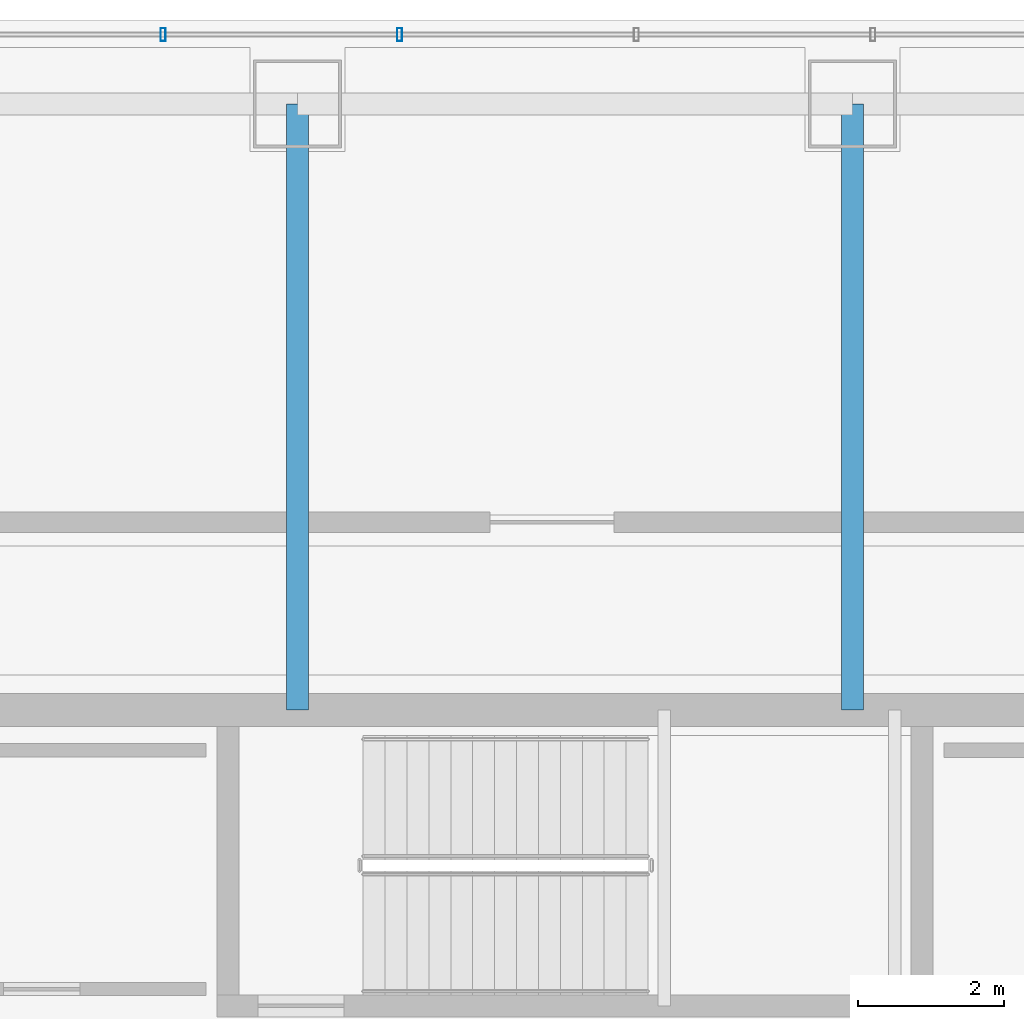
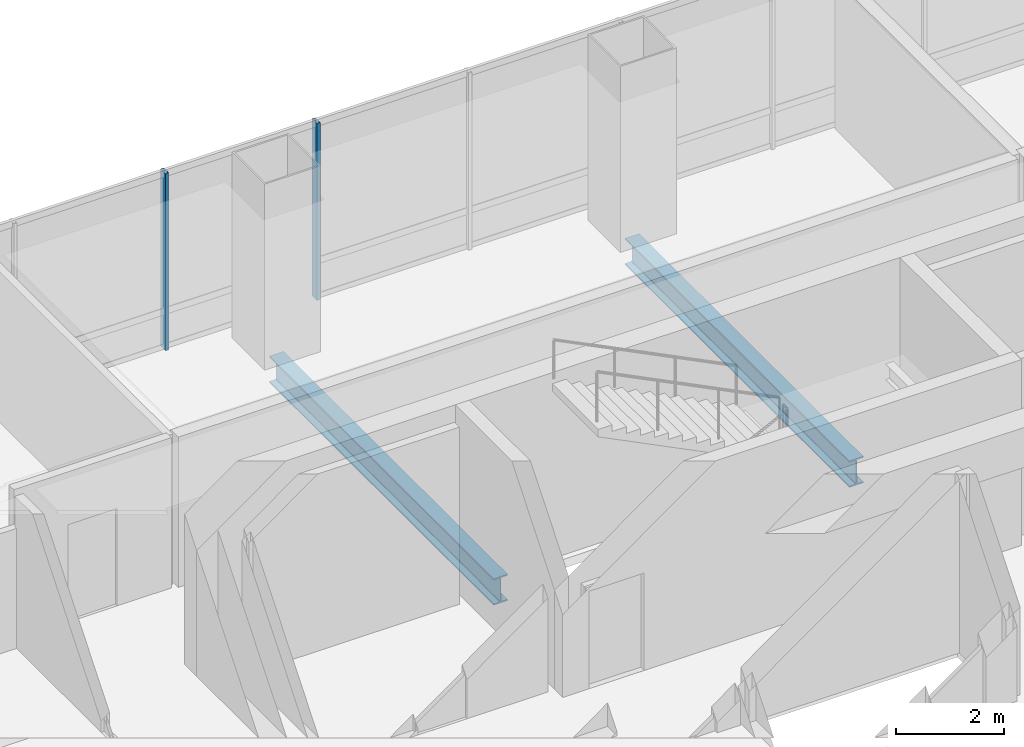
# One storey, part 27 of 42: 2 beams, 2 members, 1 element without a shape of its own.
"""IFC4 building model written with IfcOpenShell, lengths in metres."""

from ifc_helpers import new_model, si_unit, direction, frame, origin, origin_2d, place, context, subcontext, project, spatial, hollow_rectangle, i_section, extrude, material, material_profile, profile_set, type_object, element, aggregate, save


model = new_model("IFC4")

# Units and contexts
model_context = context("Model", 3, precision=1e-05, world=origin(), true_north=direction((0.0, 1.0)))
body_context = subcontext(model_context, "Body", "Model", "MODEL_VIEW")
ifc_project = project(units=[si_unit("LENGTHUNIT", "METRE"), si_unit("AREAUNIT", "SQUARE_METRE"), si_unit("VOLUMEUNIT", "CUBIC_METRE"), si_unit("PLANEANGLEUNIT", "RADIAN"), si_unit("MASSUNIT", "GRAM", prefix="KILO")], contexts=[model_context])

# Site, building, storey
site_placement = place(None, origin())
site = spatial("IfcSite", under=ifc_project, at=site_placement, CompositionType="ELEMENT")
building_placement = place(site_placement, origin())
building = spatial("IfcBuilding", under=site, at=building_placement, Name="Punatoya Terracotta Tower", CompositionType="ELEMENT")
storey_placement = place(building_placement, frame((0.0, 0.0, 325.800048828125)))
storey = spatial("IfcBuildingStorey", under=building, at=storey_placement, Name="L77", CompositionType="ELEMENT", Elevation=325.800048828125)

# Beams
ifc_material_1 = material(Name="Steel S355", Category="steel")
ifc_material_profile_1 = material_profile(ifc_material_1, i_section(OverallWidth=0.300048828125, OverallDepth=0.60009765625, WebThickness=0.015380859375, FlangeThickness=0.030029296875, FilletRadius=0.01806640625, at=origin_2d()))
ifc_profile_set_1 = profile_set([ifc_material_profile_1], Name="Steel S355")
beam_type = type_object("IfcBeamType", Name="BM-PRI-600", PredefinedType="BEAM", material=ifc_profile_set_1)
for number, where, z_axis, x_axis, name in (
    (1, (-3.800048828125, 9.199951171875, -0.5), (0.0, 1.0, 0.0), (-1.0, 0.0, 0.0), "BM-L77-PR-N2"),
    (2, (3.800048828125, 9.199951171875, -0.5), (0.0, 1.0, 0.0), (-1.0, 0.0, 0.0), "BM-L77-PR-N3"),
):
    element("IfcBeam", number, at=place(storey_placement, frame(where, z_axis=z_axis, x_axis=x_axis)), inside=storey, type_object=beam_type, Name=name, PredefinedType="BEAM", context=body_context, shape_type="SweptSolid", body=[
        extrude(i_section(OverallWidth=0.300048828125, OverallDepth=0.60009765625, WebThickness=0.015380859375, FlangeThickness=0.030029296875, FilletRadius=0.01806640625, at=origin_2d()), origin(), (0.0, 0.0, 1.0), 8.300048828125),
    ])

# Curtain wall, members
ifc_material_2 = material(Name="Aluminium 6063-T6 + Double Low-E Glass", Category="aluminium")
curtain_wall_type = type_object("IfcCurtainWallType", Name="CW-OBS", PredefinedType="NOTDEFINED", material=ifc_material_2)
curtain_wall_placement = place(storey_placement, origin())
curtain_wall = element("IfcCurtainWall", 3, at=curtain_wall_placement, inside=storey, type_object=curtain_wall_type, Name="L77 Curtain Wall CW-L77-N09-1", PredefinedType="NOTDEFINED")
ifc_material_3 = material(Name="Aluminium 6063-T6", Category="aluminium")
ifc_material_profile_2 = material_profile(ifc_material_3, hollow_rectangle(XDim=0.070068359375, YDim=0.179931640625, WallThickness=0.00390625, at=origin_2d()))
ifc_profile_set_2 = profile_set([ifc_material_profile_2], Name="Aluminium 6063-T6")
member_type = type_object("IfcMemberType", Name="CW-MUL-M3", PredefinedType="MULLION", material=ifc_profile_set_2)
member_1_placement = place(storey_placement, frame((-2.39990234375, 18.449951171875, 0.0), z_axis=(0.0, 0.0, 1.0), x_axis=(1.0, 0.0, 0.0)))
member_1 = element("IfcMember", 4, at=member_1_placement, type_object=member_type, Name="CW-L77-N09-1 Mullion 06", PredefinedType="MULLION", context=body_context, shape_type="SweptSolid", body=[
    extrude(hollow_rectangle(XDim=0.070068359375, YDim=0.179931640625, WallThickness=0.00390625, at=origin_2d()), origin(), (0.0, 0.0, 1.0), 4.0),
])
member_2_placement = place(storey_placement, frame((-5.639404296875, 18.449951171875, 0.0), z_axis=(0.0, 0.0, 1.0), x_axis=(1.0, 0.0, 0.0)))
member_2 = element("IfcMember", 5, at=member_2_placement, type_object=member_type, Name="CW-L77-N09-1 Mullion 07", PredefinedType="MULLION", context=body_context, shape_type="SweptSolid", body=[
    extrude(hollow_rectangle(XDim=0.070068359375, YDim=0.179931640625, WallThickness=0.00390625, at=origin_2d()), origin(), (0.0, 0.0, 1.0), 4.0),
])
aggregate(curtain_wall, [member_1, member_2])

save(model, "model.ifc")
